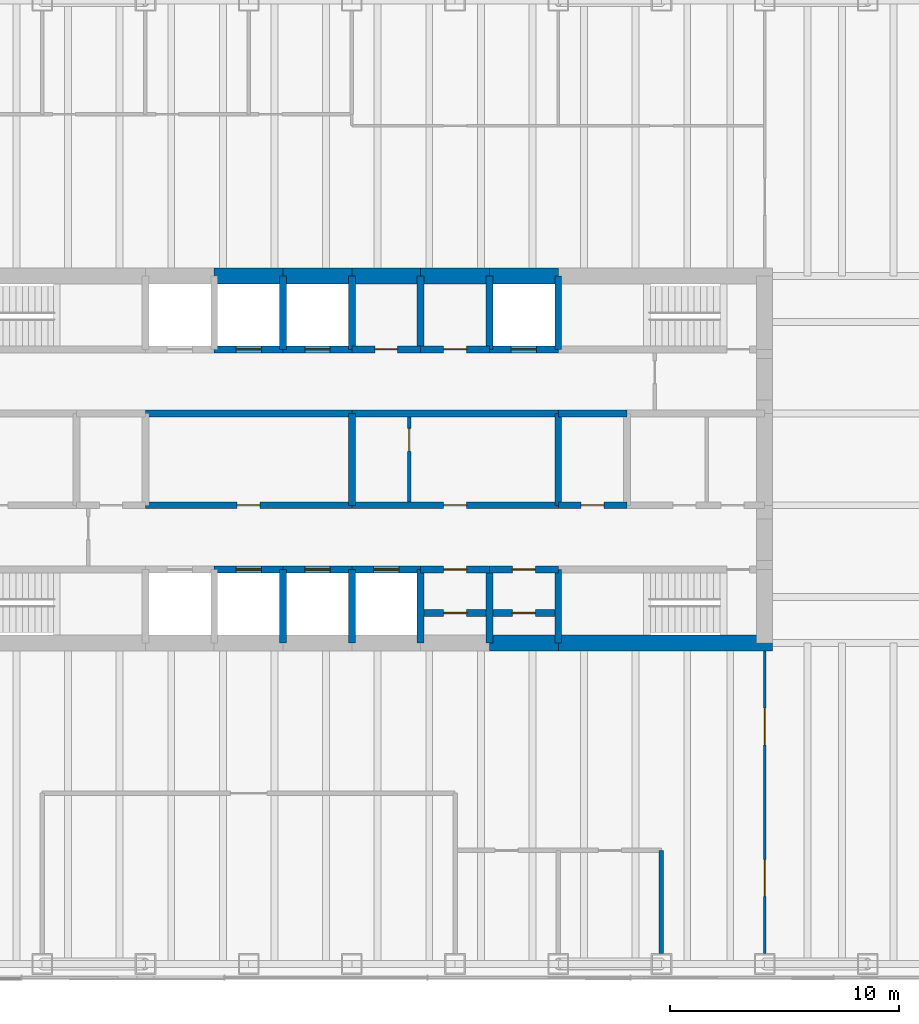
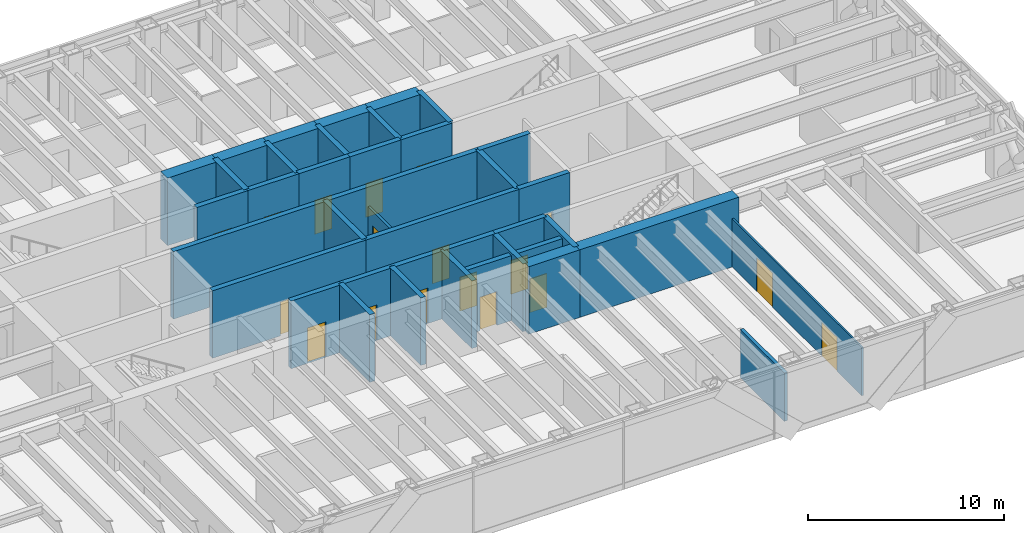
# One storey, part 14 of 17: 40 walls, 18 doors, 18 openings.
"""IFC4 building model written with IfcOpenShell, lengths in metres."""

from ifc_helpers import new_model, si_unit, direction, frame, frame_2d, origin, place, context, subcontext, project, spatial, rectangle, extrude, material, layer, layer_set, type_object, element, fill, save


model = new_model("IFC4")

# Units and contexts
model_context = context("Model", 3, precision=1e-05, world=origin(), true_north=direction((0.0, 1.0)))
body_context = subcontext(model_context, "Body", "Model", "MODEL_VIEW")
ifc_project = project(units=[si_unit("LENGTHUNIT", "METRE"), si_unit("AREAUNIT", "SQUARE_METRE"), si_unit("VOLUMEUNIT", "CUBIC_METRE"), si_unit("PLANEANGLEUNIT", "RADIAN"), si_unit("MASSUNIT", "GRAM", prefix="KILO")], contexts=[model_context])

# Site, building, storey
site_placement = place(None, origin())
site = spatial("IfcSite", under=ifc_project, at=site_placement, CompositionType="ELEMENT")
building_placement = place(site_placement, origin())
building = spatial("IfcBuilding", under=site, at=building_placement, Name="Rheinbord Bourse Tower", CompositionType="ELEMENT")
storey_placement = place(building_placement, frame((0.0, 0.0, 321.5)))
storey = spatial("IfcBuildingStorey", under=building, at=storey_placement, Name="L73", CompositionType="ELEMENT", Elevation=321.5)

# Wall
ifc_material_1 = material(Name="Acoustic gypsum board partition", Category="gypsum board")
ifc_layer_1 = layer(ifc_material_1, 0.199951171875)
ifc_layer_set_1 = layer_set([ifc_layer_1], Name="ACOUSTIC PARTITION 200")
wall_type_1 = type_object("IfcWallType", Name="ACOUSTIC PARTITION 200", PredefinedType="PARTITIONING", material=ifc_layer_set_1)
wall_1_placement = place(storey_placement, frame((49.5, 2.449951171875, 0.0), z_axis=(0.0, 0.0, 1.0), x_axis=(0.0, 1.0, 0.0)))
element("IfcWall", 1, at=wall_1_placement, inside=storey, type_object=wall_type_1, Name="Partition L73-26", PredefinedType="PARTITIONING", context=body_context, shape_type="SweptSolid", body=[
    extrude(rectangle(XDim=4.5, YDim=0.199951171875, at=frame_2d((2.25, 0.0))), origin(), (0.0, 0.0, 1.0), 3.0),
])

# Wall, opening, door
ifc_material_2 = material(Name="Concrete C50/60", Category="concrete")
ifc_layer_2 = layer(ifc_material_2, 0.300048828125)
ifc_layer_set_2 = layer_set([ifc_layer_2], Name="CORE INNER WALL 300")
wall_type_2 = type_object("IfcWallType", Name="CORE INNER WALL 300", PredefinedType="SOLIDWALL", material=ifc_layer_set_2)
wall_2_placement = place(storey_placement, frame((30.0, 19.199951171875, 0.0), z_axis=(0.0, 0.0, 1.0), x_axis=(1.0, 0.0, 0.0)))
wall_2 = element("IfcWall", 2, at=wall_2_placement, inside=storey, type_object=wall_type_2, Name="Core wall A3 L73", PredefinedType="SOLIDWALL", context=body_context, shape_type="SweptSolid", body=[
    extrude(rectangle(XDim=3.0, YDim=0.300048828125, at=frame_2d((1.5, 0.0))), origin(), (0.0, 0.0, 1.0), 4.199951171875),
])
opening_1_placement = place(wall_2_placement, frame((0.949951171875, 0.0, 0.0)))
opening_1 = element("IfcOpeningElement", 3, at=opening_1_placement, cuts=wall_2, Name="Opening PD1", PredefinedType="OPENING", context=body_context, shape_type="SweptSolid", body=[
    extrude(rectangle(XDim=1.10009765625, YDim=2.199951171875, at=frame_2d((0.550048828125, 1.10009765625))), frame((0.0, 0.159912109375, 0.0), z_axis=(0.0, -1.0, 0.0), x_axis=(1.0, 0.0, 0.0)), (0.0, 0.0, 1.0), 0.320068359375),
])
ifc_material_3 = material(Name="Steel landing door", Category="steel")
door_type_1 = type_object("IfcDoorType", Name="LIFT LANDING DOOR 1100", OperationType="DOUBLE_DOOR_SLIDING", PredefinedType="USERDEFINED", material=ifc_material_3)
door_1_placement = place(opening_1_placement, origin())
door_1 = element("IfcDoor", 4, at=door_1_placement, inside=storey, type_object=door_type_1, Name="Lift landing door PD1 L73", ObjectType="LIFT LANDING DOOR", OperationType="DOUBLE_DOOR_SLIDING", OverallHeight=2.199951171875, OverallWidth=1.10009765625, PredefinedType="USERDEFINED", context=body_context, shape_type="SweptSolid", body=[
    extrude(rectangle(XDim=1.10009765625, YDim=2.199951171875, at=frame_2d((0.550048828125, 1.10009765625))), frame((0.0, 0.02490234375, 0.0), z_axis=(0.0, -1.0, 0.0), x_axis=(1.0, 0.0, 0.0)), (0.0, 0.0, 1.0), 0.050048828125),
])
fill(opening_1, door_1)

wall_3_placement = place(storey_placement, frame((33.0, 19.199951171875, 0.0), z_axis=(0.0, 0.0, 1.0), x_axis=(1.0, 0.0, 0.0)))
wall_3 = element("IfcWall", 5, at=wall_3_placement, inside=storey, type_object=wall_type_2, Name="Core wall A4 L73", PredefinedType="SOLIDWALL", context=body_context, shape_type="SweptSolid", body=[
    extrude(rectangle(XDim=3.0, YDim=0.300048828125, at=frame_2d((1.5, 0.0))), origin(), (0.0, 0.0, 1.0), 4.199951171875),
])
opening_2_placement = place(wall_3_placement, frame((0.949951171875, 0.0, 0.0)))
opening_2 = element("IfcOpeningElement", 6, at=opening_2_placement, cuts=wall_3, Name="Opening PD2", PredefinedType="OPENING", context=body_context, shape_type="SweptSolid", body=[
    extrude(rectangle(XDim=1.10009765625, YDim=2.199951171875, at=frame_2d((0.550048828125, 1.10009765625))), frame((0.0, 0.159912109375, 0.0), z_axis=(0.0, -1.0, 0.0), x_axis=(1.0, 0.0, 0.0)), (0.0, 0.0, 1.0), 0.320068359375),
])
door_2_placement = place(opening_2_placement, origin())
door_2 = element("IfcDoor", 7, at=door_2_placement, inside=storey, type_object=door_type_1, Name="Lift landing door PD2 L73", ObjectType="LIFT LANDING DOOR", OperationType="DOUBLE_DOOR_SLIDING", OverallHeight=2.199951171875, OverallWidth=1.10009765625, PredefinedType="USERDEFINED", context=body_context, shape_type="SweptSolid", body=[
    extrude(rectangle(XDim=1.10009765625, YDim=2.199951171875, at=frame_2d((0.550048828125, 1.10009765625))), frame((0.0, 0.02490234375, 0.0), z_axis=(0.0, -1.0, 0.0), x_axis=(1.0, 0.0, 0.0)), (0.0, 0.0, 1.0), 0.050048828125),
])
fill(opening_2, door_2)

wall_4_placement = place(storey_placement, frame((36.0, 19.199951171875, 0.0), z_axis=(0.0, 0.0, 1.0), x_axis=(1.0, 0.0, 0.0)))
wall_4 = element("IfcWall", 8, at=wall_4_placement, inside=storey, type_object=wall_type_2, Name="Core wall A5 L73", PredefinedType="SOLIDWALL", context=body_context, shape_type="SweptSolid", body=[
    extrude(rectangle(XDim=3.0, YDim=0.300048828125, at=frame_2d((1.5, 0.0))), origin(), (0.0, 0.0, 1.0), 4.199951171875),
])
opening_3_placement = place(wall_4_placement, frame((0.949951171875, 0.0, 0.0)))
opening_3 = element("IfcOpeningElement", 9, at=opening_3_placement, cuts=wall_4, Name="Opening PD3", PredefinedType="OPENING", context=body_context, shape_type="SweptSolid", body=[
    extrude(rectangle(XDim=1.10009765625, YDim=2.199951171875, at=frame_2d((0.550048828125, 1.10009765625))), frame((0.0, 0.159912109375, 0.0), z_axis=(0.0, -1.0, 0.0), x_axis=(1.0, 0.0, 0.0)), (0.0, 0.0, 1.0), 0.320068359375),
])
door_3_placement = place(opening_3_placement, origin())
door_3 = element("IfcDoor", 10, at=door_3_placement, inside=storey, type_object=door_type_1, Name="Lift landing door PD3 L73", ObjectType="LIFT LANDING DOOR", OperationType="DOUBLE_DOOR_SLIDING", OverallHeight=2.199951171875, OverallWidth=1.10009765625, PredefinedType="USERDEFINED", context=body_context, shape_type="SweptSolid", body=[
    extrude(rectangle(XDim=1.10009765625, YDim=2.199951171875, at=frame_2d((0.550048828125, 1.10009765625))), frame((0.0, 0.02490234375, 0.0), z_axis=(0.0, -1.0, 0.0), x_axis=(1.0, 0.0, 0.0)), (0.0, 0.0, 1.0), 0.050048828125),
])
fill(opening_3, door_3)

wall_5_placement = place(storey_placement, frame((39.0, 19.199951171875, 0.0), z_axis=(0.0, 0.0, 1.0), x_axis=(1.0, 0.0, 0.0)))
wall_5 = element("IfcWall", 11, at=wall_5_placement, inside=storey, type_object=wall_type_2, Name="Core wall A6 L73", PredefinedType="SOLIDWALL", context=body_context, shape_type="SweptSolid", body=[
    extrude(rectangle(XDim=3.0, YDim=0.300048828125, at=frame_2d((1.5, 0.0))), origin(), (0.0, 0.0, 1.0), 4.199951171875),
])
opening_4_placement = place(wall_5_placement, frame((1.0, 0.0, 0.0)))
opening_4 = element("IfcOpeningElement", 12, at=opening_4_placement, cuts=wall_5, Name="Opening 73R8", PredefinedType="OPENING", context=body_context, shape_type="SweptSolid", body=[
    extrude(rectangle(XDim=1.0, YDim=2.10009765625, at=frame_2d((0.5, 1.050048828125))), frame((0.0, 0.159912109375, 0.0), z_axis=(0.0, -1.0, 0.0), x_axis=(1.0, 0.0, 0.0)), (0.0, 0.0, 1.0), 0.320068359375),
])
ifc_material_4 = material(Name="Steel door", Category="steel")
door_type_2 = type_object("IfcDoorType", Name="DOOR 1000 EI30", OperationType="SINGLE_SWING_LEFT", PredefinedType="DOOR", material=ifc_material_4)
door_4_placement = place(opening_4_placement, origin())
door_4 = element("IfcDoor", 13, at=door_4_placement, inside=storey, type_object=door_type_2, Name="Cleaner's store door L73", OperationType="SINGLE_SWING_LEFT", OverallHeight=2.10009765625, OverallWidth=1.0, PredefinedType="DOOR", context=body_context, shape_type="SweptSolid", body=[
    extrude(rectangle(XDim=1.0, YDim=2.10009765625, at=frame_2d((0.5, 1.050048828125))), frame((0.0, 0.02490234375, 0.0), z_axis=(0.0, -1.0, 0.0), x_axis=(1.0, 0.0, 0.0)), (0.0, 0.0, 1.0), 0.050048828125),
])
fill(opening_4, door_4)

wall_6_placement = place(storey_placement, frame((42.0, 19.199951171875, 0.0), z_axis=(0.0, 0.0, 1.0), x_axis=(1.0, 0.0, 0.0)))
wall_6 = element("IfcWall", 14, at=wall_6_placement, inside=storey, type_object=wall_type_2, Name="Core wall A7 L73", PredefinedType="SOLIDWALL", context=body_context, shape_type="SweptSolid", body=[
    extrude(rectangle(XDim=3.0, YDim=0.300048828125, at=frame_2d((1.5, 0.0))), origin(), (0.0, 0.0, 1.0), 4.199951171875),
])
opening_5_placement = place(wall_6_placement, frame((1.0, 0.0, 0.0)))
opening_5 = element("IfcOpeningElement", 15, at=opening_5_placement, cuts=wall_6, Name="Opening 73R9", PredefinedType="OPENING", context=body_context, shape_type="SweptSolid", body=[
    extrude(rectangle(XDim=1.0, YDim=2.10009765625, at=frame_2d((0.5, 1.050048828125))), frame((0.0, 0.159912109375, 0.0), z_axis=(0.0, -1.0, 0.0), x_axis=(1.0, 0.0, 0.0)), (0.0, 0.0, 1.0), 0.320068359375),
])
door_5_placement = place(opening_5_placement, origin())
door_5 = element("IfcDoor", 16, at=door_5_placement, inside=storey, type_object=door_type_2, Name="Pantry door L73", OperationType="SINGLE_SWING_LEFT", OverallHeight=2.10009765625, OverallWidth=1.0, PredefinedType="DOOR", context=body_context, shape_type="SweptSolid", body=[
    extrude(rectangle(XDim=1.0, YDim=2.10009765625, at=frame_2d((0.5, 1.050048828125))), frame((0.0, 0.02490234375, 0.0), z_axis=(0.0, -1.0, 0.0), x_axis=(1.0, 0.0, 0.0)), (0.0, 0.0, 1.0), 0.050048828125),
])
fill(opening_5, door_5)

wall_7_placement = place(storey_placement, frame((30.0, 28.800048828125, 0.0), z_axis=(0.0, 0.0, 1.0), x_axis=(1.0, 0.0, 0.0)))
wall_7 = element("IfcWall", 17, at=wall_7_placement, inside=storey, type_object=wall_type_2, Name="Core wall B3 L73", PredefinedType="SOLIDWALL", context=body_context, shape_type="SweptSolid", body=[
    extrude(rectangle(XDim=3.0, YDim=0.300048828125, at=frame_2d((1.5, 0.0))), origin(), (0.0, 0.0, 1.0), 4.199951171875),
])
opening_6_placement = place(wall_7_placement, frame((0.949951171875, 0.0, 0.0)))
opening_6 = element("IfcOpeningElement", 18, at=opening_6_placement, cuts=wall_7, Name="Opening PD4", PredefinedType="OPENING", context=body_context, shape_type="SweptSolid", body=[
    extrude(rectangle(XDim=1.10009765625, YDim=2.199951171875, at=frame_2d((0.550048828125, 1.10009765625))), frame((0.0, 0.159912109375, 0.0), z_axis=(0.0, -1.0, 0.0), x_axis=(1.0, 0.0, 0.0)), (0.0, 0.0, 1.0), 0.320068359375),
])
door_6_placement = place(opening_6_placement, origin())
door_6 = element("IfcDoor", 19, at=door_6_placement, inside=storey, type_object=door_type_1, Name="Lift landing door PD4 L73", ObjectType="LIFT LANDING DOOR", OperationType="DOUBLE_DOOR_SLIDING", OverallHeight=2.199951171875, OverallWidth=1.10009765625, PredefinedType="USERDEFINED", context=body_context, shape_type="SweptSolid", body=[
    extrude(rectangle(XDim=1.10009765625, YDim=2.199951171875, at=frame_2d((0.550048828125, 1.10009765625))), frame((0.0, 0.02490234375, 0.0), z_axis=(0.0, -1.0, 0.0), x_axis=(1.0, 0.0, 0.0)), (0.0, 0.0, 1.0), 0.050048828125),
])
fill(opening_6, door_6)

wall_8_placement = place(storey_placement, frame((33.0, 28.800048828125, 0.0), z_axis=(0.0, 0.0, 1.0), x_axis=(1.0, 0.0, 0.0)))
wall_8 = element("IfcWall", 20, at=wall_8_placement, inside=storey, type_object=wall_type_2, Name="Core wall B4 L73", PredefinedType="SOLIDWALL", context=body_context, shape_type="SweptSolid", body=[
    extrude(rectangle(XDim=3.0, YDim=0.300048828125, at=frame_2d((1.5, 0.0))), origin(), (0.0, 0.0, 1.0), 4.199951171875),
])
opening_7_placement = place(wall_8_placement, frame((0.949951171875, 0.0, 0.0)))
opening_7 = element("IfcOpeningElement", 21, at=opening_7_placement, cuts=wall_8, Name="Opening PD5", PredefinedType="OPENING", context=body_context, shape_type="SweptSolid", body=[
    extrude(rectangle(XDim=1.10009765625, YDim=2.199951171875, at=frame_2d((0.550048828125, 1.10009765625))), frame((0.0, 0.159912109375, 0.0), z_axis=(0.0, -1.0, 0.0), x_axis=(1.0, 0.0, 0.0)), (0.0, 0.0, 1.0), 0.320068359375),
])
door_7_placement = place(opening_7_placement, origin())
door_7 = element("IfcDoor", 22, at=door_7_placement, inside=storey, type_object=door_type_1, Name="Lift landing door PD5 L73", ObjectType="LIFT LANDING DOOR", OperationType="DOUBLE_DOOR_SLIDING", OverallHeight=2.199951171875, OverallWidth=1.10009765625, PredefinedType="USERDEFINED", context=body_context, shape_type="SweptSolid", body=[
    extrude(rectangle(XDim=1.10009765625, YDim=2.199951171875, at=frame_2d((0.550048828125, 1.10009765625))), frame((0.0, 0.02490234375, 0.0), z_axis=(0.0, -1.0, 0.0), x_axis=(1.0, 0.0, 0.0)), (0.0, 0.0, 1.0), 0.050048828125),
])
fill(opening_7, door_7)

wall_9_placement = place(storey_placement, frame((36.0, 28.800048828125, 0.0), z_axis=(0.0, 0.0, 1.0), x_axis=(1.0, 0.0, 0.0)))
wall_9 = element("IfcWall", 23, at=wall_9_placement, inside=storey, type_object=wall_type_2, Name="Core wall B5 L73", PredefinedType="SOLIDWALL", context=body_context, shape_type="SweptSolid", body=[
    extrude(rectangle(XDim=3.0, YDim=0.300048828125, at=frame_2d((1.5, 0.0))), origin(), (0.0, 0.0, 1.0), 4.199951171875),
])
opening_8_placement = place(wall_9_placement, frame((1.0, 0.0, 0.0)))
opening_8 = element("IfcOpeningElement", 24, at=opening_8_placement, cuts=wall_9, Name="Opening 73R10", PredefinedType="OPENING", context=body_context, shape_type="SweptSolid", body=[
    extrude(rectangle(XDim=1.0, YDim=2.10009765625, at=frame_2d((0.5, 1.050048828125))), frame((0.0, 0.159912109375, 0.0), z_axis=(0.0, -1.0, 0.0), x_axis=(1.0, 0.0, 0.0)), (0.0, 0.0, 1.0), 0.320068359375),
])
door_8_placement = place(opening_8_placement, origin())
door_8 = element("IfcDoor", 25, at=door_8_placement, inside=storey, type_object=door_type_2, Name="Archive store door L73", OperationType="SINGLE_SWING_LEFT", OverallHeight=2.10009765625, OverallWidth=1.0, PredefinedType="DOOR", context=body_context, shape_type="SweptSolid", body=[
    extrude(rectangle(XDim=1.0, YDim=2.10009765625, at=frame_2d((0.5, 1.050048828125))), frame((0.0, 0.02490234375, 0.0), z_axis=(0.0, -1.0, 0.0), x_axis=(1.0, 0.0, 0.0)), (0.0, 0.0, 1.0), 0.050048828125),
])
fill(opening_8, door_8)

wall_10_placement = place(storey_placement, frame((39.0, 28.800048828125, 0.0), z_axis=(0.0, 0.0, 1.0), x_axis=(1.0, 0.0, 0.0)))
wall_10 = element("IfcWall", 26, at=wall_10_placement, inside=storey, type_object=wall_type_2, Name="Core wall B6 L73", PredefinedType="SOLIDWALL", context=body_context, shape_type="SweptSolid", body=[
    extrude(rectangle(XDim=3.0, YDim=0.300048828125, at=frame_2d((1.5, 0.0))), origin(), (0.0, 0.0, 1.0), 4.199951171875),
])
opening_9_placement = place(wall_10_placement, frame((1.0, 0.0, 0.0)))
opening_9 = element("IfcOpeningElement", 27, at=opening_9_placement, cuts=wall_10, Name="Opening 73R11", PredefinedType="OPENING", context=body_context, shape_type="SweptSolid", body=[
    extrude(rectangle(XDim=1.0, YDim=2.10009765625, at=frame_2d((0.5, 1.050048828125))), frame((0.0, 0.159912109375, 0.0), z_axis=(0.0, -1.0, 0.0), x_axis=(1.0, 0.0, 0.0)), (0.0, 0.0, 1.0), 0.320068359375),
])
door_9_placement = place(opening_9_placement, origin())
door_9 = element("IfcDoor", 28, at=door_9_placement, inside=storey, type_object=door_type_2, Name="Mail room door L73", OperationType="SINGLE_SWING_LEFT", OverallHeight=2.10009765625, OverallWidth=1.0, PredefinedType="DOOR", context=body_context, shape_type="SweptSolid", body=[
    extrude(rectangle(XDim=1.0, YDim=2.10009765625, at=frame_2d((0.5, 1.050048828125))), frame((0.0, 0.02490234375, 0.0), z_axis=(0.0, -1.0, 0.0), x_axis=(1.0, 0.0, 0.0)), (0.0, 0.0, 1.0), 0.050048828125),
])
fill(opening_9, door_9)

wall_11_placement = place(storey_placement, frame((42.0, 28.800048828125, 0.0), z_axis=(0.0, 0.0, 1.0), x_axis=(1.0, 0.0, 0.0)))
wall_11 = element("IfcWall", 29, at=wall_11_placement, inside=storey, type_object=wall_type_2, Name="Core wall B7 L73", PredefinedType="SOLIDWALL", context=body_context, shape_type="SweptSolid", body=[
    extrude(rectangle(XDim=3.0, YDim=0.300048828125, at=frame_2d((1.5, 0.0))), origin(), (0.0, 0.0, 1.0), 4.199951171875),
])
opening_10_placement = place(wall_11_placement, frame((0.949951171875, 0.0, 0.0)))
opening_10 = element("IfcOpeningElement", 30, at=opening_10_placement, cuts=wall_11, Name="Opening FL2", PredefinedType="OPENING", context=body_context, shape_type="SweptSolid", body=[
    extrude(rectangle(XDim=1.10009765625, YDim=2.199951171875, at=frame_2d((0.550048828125, 1.10009765625))), frame((0.0, 0.159912109375, 0.0), z_axis=(0.0, -1.0, 0.0), x_axis=(1.0, 0.0, 0.0)), (0.0, 0.0, 1.0), 0.320068359375),
])
door_10_placement = place(opening_10_placement, origin())
door_10 = element("IfcDoor", 31, at=door_10_placement, inside=storey, type_object=door_type_1, Name="Lift landing door FL2 L73", ObjectType="LIFT LANDING DOOR", OperationType="DOUBLE_DOOR_SLIDING", OverallHeight=2.199951171875, OverallWidth=1.10009765625, PredefinedType="USERDEFINED", context=body_context, shape_type="SweptSolid", body=[
    extrude(rectangle(XDim=1.10009765625, YDim=2.199951171875, at=frame_2d((0.550048828125, 1.10009765625))), frame((0.0, 0.02490234375, 0.0), z_axis=(0.0, -1.0, 0.0), x_axis=(1.0, 0.0, 0.0)), (0.0, 0.0, 1.0), 0.050048828125),
])
fill(opening_10, door_10)

wall_12_placement = place(storey_placement, frame((27.0, 22.0, 0.0), z_axis=(0.0, 0.0, 1.0), x_axis=(1.0, 0.0, 0.0)))
wall_12 = element("IfcWall", 32, at=wall_12_placement, inside=storey, type_object=wall_type_2, Name="Core wall C3 L73", PredefinedType="SOLIDWALL", context=body_context, shape_type="SweptSolid", body=[
    extrude(rectangle(XDim=9.0, YDim=0.300048828125, at=frame_2d((4.5, 0.0))), origin(), (0.0, 0.0, 1.0), 4.199951171875),
])
opening_11_placement = place(wall_12_placement, frame((4.0, 0.0, 0.0)))
opening_11 = element("IfcOpeningElement", 33, at=opening_11_placement, cuts=wall_12, Name="Opening 73R3", PredefinedType="OPENING", context=body_context, shape_type="SweptSolid", body=[
    extrude(rectangle(XDim=1.0, YDim=2.10009765625, at=frame_2d((0.5, 1.050048828125))), frame((0.0, 0.159912109375, 0.0), z_axis=(0.0, -1.0, 0.0), x_axis=(1.0, 0.0, 0.0)), (0.0, 0.0, 1.0), 0.320068359375),
])
door_11_placement = place(opening_11_placement, origin())
door_11 = element("IfcDoor", 34, at=door_11_placement, inside=storey, type_object=door_type_2, Name="Riser door L73", OperationType="SINGLE_SWING_LEFT", OverallHeight=2.10009765625, OverallWidth=1.0, PredefinedType="DOOR", context=body_context, shape_type="SweptSolid", body=[
    extrude(rectangle(XDim=1.0, YDim=2.10009765625, at=frame_2d((0.5, 1.050048828125))), frame((0.0, 0.02490234375, 0.0), z_axis=(0.0, -1.0, 0.0), x_axis=(1.0, 0.0, 0.0)), (0.0, 0.0, 1.0), 0.050048828125),
])
fill(opening_11, door_11)

wall_13_placement = place(storey_placement, frame((36.0, 22.0, 0.0), z_axis=(0.0, 0.0, 1.0), x_axis=(1.0, 0.0, 0.0)))
wall_13 = element("IfcWall", 35, at=wall_13_placement, inside=storey, type_object=wall_type_2, Name="Core wall C4 L73", PredefinedType="SOLIDWALL", context=body_context, shape_type="SweptSolid", body=[
    extrude(rectangle(XDim=9.0, YDim=0.300048828125, at=frame_2d((4.5, 0.0))), origin(), (0.0, 0.0, 1.0), 4.199951171875),
])
opening_12_placement = place(wall_13_placement, frame((4.0, 0.0, 0.0)))
opening_12 = element("IfcOpeningElement", 36, at=opening_12_placement, cuts=wall_13, Name="Opening 73R4", PredefinedType="OPENING", context=body_context, shape_type="SweptSolid", body=[
    extrude(rectangle(XDim=1.0, YDim=2.10009765625, at=frame_2d((0.5, 1.050048828125))), frame((0.0, 0.159912109375, 0.0), z_axis=(0.0, -1.0, 0.0), x_axis=(1.0, 0.0, 0.0)), (0.0, 0.0, 1.0), 0.320068359375),
])
door_12_placement = place(opening_12_placement, origin())
door_12 = element("IfcDoor", 37, at=door_12_placement, inside=storey, type_object=door_type_2, Name="Store door L73", OperationType="SINGLE_SWING_LEFT", OverallHeight=2.10009765625, OverallWidth=1.0, PredefinedType="DOOR", context=body_context, shape_type="SweptSolid", body=[
    extrude(rectangle(XDim=1.0, YDim=2.10009765625, at=frame_2d((0.5, 1.050048828125))), frame((0.0, 0.02490234375, 0.0), z_axis=(0.0, -1.0, 0.0), x_axis=(1.0, 0.0, 0.0)), (0.0, 0.0, 1.0), 0.050048828125),
])
fill(opening_12, door_12)

wall_14_placement = place(storey_placement, frame((45.0, 22.0, 0.0), z_axis=(0.0, 0.0, 1.0), x_axis=(1.0, 0.0, 0.0)))
wall_14 = element("IfcWall", 38, at=wall_14_placement, inside=storey, type_object=wall_type_2, Name="Core wall C5 L73", PredefinedType="SOLIDWALL", context=body_context, shape_type="SweptSolid", body=[
    extrude(rectangle(XDim=3.0, YDim=0.300048828125, at=frame_2d((1.5, 0.0))), origin(), (0.0, 0.0, 1.0), 4.199951171875),
])
opening_13_placement = place(wall_14_placement, frame((1.0, 0.0, 0.0)))
opening_13 = element("IfcOpeningElement", 39, at=opening_13_placement, cuts=wall_14, Name="Opening 73R5", PredefinedType="OPENING", context=body_context, shape_type="SweptSolid", body=[
    extrude(rectangle(XDim=1.0, YDim=2.10009765625, at=frame_2d((0.5, 1.050048828125))), frame((0.0, 0.159912109375, 0.0), z_axis=(0.0, -1.0, 0.0), x_axis=(1.0, 0.0, 0.0)), (0.0, 0.0, 1.0), 0.320068359375),
])
ifc_material_5 = material(Name="Timber door", Category="wood")
door_type_3 = type_object("IfcDoorType", Name="DOOR 1000 WC", OperationType="SINGLE_SWING_LEFT", PredefinedType="DOOR", material=ifc_material_5)
door_13_placement = place(opening_13_placement, origin())
door_13 = element("IfcDoor", 40, at=door_13_placement, inside=storey, type_object=door_type_3, Name="Accessible WC door L73", OperationType="SINGLE_SWING_LEFT", OverallHeight=2.10009765625, OverallWidth=1.0, PredefinedType="DOOR", context=body_context, shape_type="SweptSolid", body=[
    extrude(rectangle(XDim=1.0, YDim=2.10009765625, at=frame_2d((0.5, 1.050048828125))), frame((0.0, 0.02490234375, 0.0), z_axis=(0.0, -1.0, 0.0), x_axis=(1.0, 0.0, 0.0)), (0.0, 0.0, 1.0), 0.050048828125),
])
fill(opening_13, door_13)

# Walls
for number, where, z_axis, x_axis, name in (
    (41, (27.0, 26.0, 0.0), (0.0, 0.0, 1.0), (1.0, 0.0, 0.0), "Core wall D3 L73"),
    (42, (36.0, 26.0, 0.0), (0.0, 0.0, 1.0), (1.0, 0.0, 0.0), "Core wall D4 L73"),
):
    element("IfcWall", number, at=place(storey_placement, frame(where, z_axis=z_axis, x_axis=x_axis)), inside=storey, type_object=wall_type_2, Name=name, PredefinedType="SOLIDWALL", context=body_context, shape_type="SweptSolid", body=[
        extrude(rectangle(XDim=9.0, YDim=0.300048828125, at=frame_2d((4.5, 0.0))), origin(), (0.0, 0.0, 1.0), 4.199951171875),
    ])
wall_15_placement = place(storey_placement, frame((45.0, 26.0, 0.0), z_axis=(0.0, 0.0, 1.0), x_axis=(1.0, 0.0, 0.0)))
element("IfcWall", 43, at=wall_15_placement, inside=storey, type_object=wall_type_2, Name="Core wall D5 L73", PredefinedType="SOLIDWALL", context=body_context, shape_type="SweptSolid", body=[
    extrude(rectangle(XDim=3.0, YDim=0.300048828125, at=frame_2d((1.5, 0.0))), origin(), (0.0, 0.0, 1.0), 4.199951171875),
])
for number, where, z_axis, x_axis, name in (
    (44, (33.0, 16.0, 0.0), (0.0, 0.0, 1.0), (0.0, 1.0, 0.0), "Core wall SX33 L73"),
    (45, (33.0, 28.800048828125, 0.0), (0.0, 0.0, 1.0), (0.0, 1.0, 0.0), "Core wall NX33 L73"),
    (46, (36.0, 16.0, 0.0), (0.0, 0.0, 1.0), (0.0, 1.0, 0.0), "Core wall SX36 L73"),
    (47, (36.0, 28.800048828125, 0.0), (0.0, 0.0, 1.0), (0.0, 1.0, 0.0), "Core wall NX36 L73"),
    (48, (39.0, 16.0, 0.0), (0.0, 0.0, 1.0), (0.0, 1.0, 0.0), "Core wall SX39 L73"),
    (49, (39.0, 28.800048828125, 0.0), (0.0, 0.0, 1.0), (0.0, 1.0, 0.0), "Core wall NX39 L73"),
    (50, (42.0, 16.0, 0.0), (0.0, 0.0, 1.0), (0.0, 1.0, 0.0), "Core wall SX42 L73"),
    (51, (42.0, 28.800048828125, 0.0), (0.0, 0.0, 1.0), (0.0, 1.0, 0.0), "Core wall NX42 L73"),
    (52, (45.0, 16.0, 0.0), (0.0, 0.0, 1.0), (0.0, 1.0, 0.0), "Core wall SX45 L73"),
    (53, (45.0, 28.800048828125, 0.0), (0.0, 0.0, 1.0), (0.0, 1.0, 0.0), "Core wall NX45 L73"),
):
    element("IfcWall", number, at=place(storey_placement, frame(where, z_axis=z_axis, x_axis=x_axis)), inside=storey, type_object=wall_type_2, Name=name, PredefinedType="SOLIDWALL", context=body_context, shape_type="SweptSolid", body=[
        extrude(rectangle(XDim=3.199951171875, YDim=0.300048828125, at=frame_2d((1.60009765625, 0.0))), origin(), (0.0, 0.0, 1.0), 4.199951171875),
    ])
for number, where, z_axis, x_axis, name in (
    (54, (36.0, 22.0, 0.0), (0.0, 0.0, 1.0), (0.0, 1.0, 0.0), "Core wall MX36 L73"),
    (55, (45.0, 22.0, 0.0), (0.0, 0.0, 1.0), (0.0, 1.0, 0.0), "Core wall MX45 L73"),
):
    element("IfcWall", number, at=place(storey_placement, frame(where, z_axis=z_axis, x_axis=x_axis)), inside=storey, type_object=wall_type_2, Name=name, PredefinedType="SOLIDWALL", context=body_context, shape_type="SweptSolid", body=[
        extrude(rectangle(XDim=4.0, YDim=0.300048828125, at=frame_2d((2.0, 0.0))), origin(), (0.0, 0.0, 1.0), 4.199951171875),
    ])

# Wall, opening, door
wall_16_placement = place(storey_placement, frame((39.14990234375, 17.300048828125, 0.0), z_axis=(0.0, 0.0, 1.0), x_axis=(1.0, 0.0, 0.0)))
wall_16 = element("IfcWall", 56, at=wall_16_placement, inside=storey, type_object=wall_type_2, Name="Core riser wall L73-6", PredefinedType="SOLIDWALL", context=body_context, shape_type="SweptSolid", body=[
    extrude(rectangle(XDim=2.7001953125, YDim=0.300048828125, at=frame_2d((1.35009765625, 0.0))), origin(), (0.0, 0.0, 1.0), 4.0400390625),
])
opening_14_placement = place(wall_16_placement, frame((0.85009765625, 0.0, 0.0)))
opening_14 = element("IfcOpeningElement", 57, at=opening_14_placement, cuts=wall_16, Name="Opening 73R12", PredefinedType="OPENING", context=body_context, shape_type="SweptSolid", body=[
    extrude(rectangle(XDim=1.0, YDim=2.10009765625, at=frame_2d((0.5, 1.050048828125))), frame((0.0, 0.159912109375, 0.0), z_axis=(0.0, -1.0, 0.0), x_axis=(1.0, 0.0, 0.0)), (0.0, 0.0, 1.0), 0.320068359375),
])
door_14_placement = place(opening_14_placement, origin())
door_14 = element("IfcDoor", 58, at=door_14_placement, inside=storey, type_object=door_type_2, Name="Comms riser door L73", OperationType="SINGLE_SWING_LEFT", OverallHeight=2.10009765625, OverallWidth=1.0, PredefinedType="DOOR", context=body_context, shape_type="SweptSolid", body=[
    extrude(rectangle(XDim=1.0, YDim=2.10009765625, at=frame_2d((0.5, 1.050048828125))), frame((0.0, 0.02490234375, 0.0), z_axis=(0.0, -1.0, 0.0), x_axis=(1.0, 0.0, 0.0)), (0.0, 0.0, 1.0), 0.050048828125),
])
fill(opening_14, door_14)

wall_17_placement = place(storey_placement, frame((42.14990234375, 17.300048828125, 0.0), z_axis=(0.0, 0.0, 1.0), x_axis=(1.0, 0.0, 0.0)))
wall_17 = element("IfcWall", 59, at=wall_17_placement, inside=storey, type_object=wall_type_2, Name="Core riser wall L73-7", PredefinedType="SOLIDWALL", context=body_context, shape_type="SweptSolid", body=[
    extrude(rectangle(XDim=2.7001953125, YDim=0.300048828125, at=frame_2d((1.35009765625, 0.0))), origin(), (0.0, 0.0, 1.0), 4.0400390625),
])
opening_15_placement = place(wall_17_placement, frame((0.85009765625, 0.0, 0.0)))
opening_15 = element("IfcOpeningElement", 60, at=opening_15_placement, cuts=wall_17, Name="Opening 73R13", PredefinedType="OPENING", context=body_context, shape_type="SweptSolid", body=[
    extrude(rectangle(XDim=1.0, YDim=2.10009765625, at=frame_2d((0.5, 1.050048828125))), frame((0.0, 0.159912109375, 0.0), z_axis=(0.0, -1.0, 0.0), x_axis=(1.0, 0.0, 0.0)), (0.0, 0.0, 1.0), 0.320068359375),
])
door_15_placement = place(opening_15_placement, origin())
door_15 = element("IfcDoor", 61, at=door_15_placement, inside=storey, type_object=door_type_2, Name="Electrical riser door L73", OperationType="SINGLE_SWING_LEFT", OverallHeight=2.10009765625, OverallWidth=1.0, PredefinedType="DOOR", context=body_context, shape_type="SweptSolid", body=[
    extrude(rectangle(XDim=1.0, YDim=2.10009765625, at=frame_2d((0.5, 1.050048828125))), frame((0.0, 0.02490234375, 0.0), z_axis=(0.0, -1.0, 0.0), x_axis=(1.0, 0.0, 0.0)), (0.0, 0.0, 1.0), 0.050048828125),
])
fill(opening_15, door_15)

ifc_material_6 = material(Name="Gypsum board fire partition", Category="gypsum board")
ifc_layer_3 = layer(ifc_material_6, 0.14990234375)
ifc_layer_set_3 = layer_set([ifc_layer_3], Name="CORE PARTITION 150 EI30")
wall_type_3 = type_object("IfcWallType", Name="CORE PARTITION 150 EI30", PredefinedType="PARTITIONING", material=ifc_layer_set_3)
wall_18_placement = place(storey_placement, frame((38.5, 22.14990234375, 0.0), z_axis=(0.0, 0.0, 1.0), x_axis=(0.0, 1.0, 0.0)))
wall_18 = element("IfcWall", 62, at=wall_18_placement, inside=storey, type_object=wall_type_3, Name="Core partition L73-1", PredefinedType="PARTITIONING", context=body_context, shape_type="SweptSolid", body=[
    extrude(rectangle(XDim=3.7001953125, YDim=0.14990234375, at=frame_2d((1.85009765625, 0.0))), origin(), (0.0, 0.0, 1.0), 3.0),
])
opening_16_placement = place(wall_18_placement, frame((2.199951171875, 0.0, 0.0)))
opening_16 = element("IfcOpeningElement", 63, at=opening_16_placement, cuts=wall_18, Name="Opening 73R7", PredefinedType="OPENING", context=body_context, shape_type="SweptSolid", body=[
    extrude(rectangle(XDim=1.0, YDim=2.10009765625, at=frame_2d((0.5, 1.050048828125))), frame((0.0, 0.0849609375, 0.0), z_axis=(0.0, -1.0, 0.0), x_axis=(1.0, 0.0, 0.0)), (0.0, 0.0, 1.0), 0.169921875),
])
door_16_placement = place(opening_16_placement, origin())
door_16 = element("IfcDoor", 64, at=door_16_placement, inside=storey, type_object=door_type_2, Name="Furniture store door L73", OperationType="SINGLE_SWING_RIGHT", OverallHeight=2.10009765625, OverallWidth=1.0, PredefinedType="DOOR", context=body_context, shape_type="SweptSolid", body=[
    extrude(rectangle(XDim=1.0, YDim=2.10009765625, at=frame_2d((0.5, 1.050048828125))), frame((0.0, 0.02490234375, 0.0), z_axis=(0.0, -1.0, 0.0), x_axis=(1.0, 0.0, 0.0)), (0.0, 0.0, 1.0), 0.050048828125),
])
fill(opening_16, door_16)

# Walls
ifc_material_7 = material(Name="Concrete C50/60", Category="concrete")
ifc_layer_4 = layer(ifc_material_7, 0.699951171875)
ifc_layer_set_4 = layer_set([ifc_layer_4], Name="CORE WALL 700")
wall_type_4 = type_object("IfcWallType", Name="CORE WALL 700", PredefinedType="SHEAR", material=ifc_layer_set_4)
wall_19_placement = place(storey_placement, frame((42.0, 16.0, 0.0), z_axis=(0.0, 0.0, 1.0), x_axis=(1.0, 0.0, 0.0)))
element("IfcWall", 65, at=wall_19_placement, inside=storey, type_object=wall_type_4, Name="Core wall S7 L73", PredefinedType="SHEAR", context=body_context, shape_type="SweptSolid", body=[
    extrude(rectangle(XDim=3.0, YDim=0.699951171875, at=frame_2d((1.5, 0.0))), origin(), (0.0, 0.0, 1.0), 4.199951171875),
])
wall_20_placement = place(storey_placement, frame((45.0, 16.0, 0.0), z_axis=(0.0, 0.0, 1.0), x_axis=(1.0, 0.0, 0.0)))
element("IfcWall", 66, at=wall_20_placement, inside=storey, type_object=wall_type_4, Name="Core wall S8 L73", PredefinedType="SHEAR", context=body_context, shape_type="SweptSolid", body=[
    extrude(rectangle(XDim=9.35009765625, YDim=0.699951171875, at=frame_2d((4.675048828125, 0.0))), origin(), (0.0, 0.0, 1.0), 4.199951171875),
])
for number, where, z_axis, x_axis, name in (
    (67, (45.0, 32.0, 0.0), (0.0, 0.0, 1.0), (-1.0, 0.0, 0.0), "Core wall N2 L73"),
    (68, (42.0, 32.0, 0.0), (0.0, 0.0, 1.0), (-1.0, 0.0, 0.0), "Core wall N3 L73"),
    (69, (39.0, 32.0, 0.0), (0.0, 0.0, 1.0), (-1.0, 0.0, 0.0), "Core wall N4 L73"),
    (70, (36.0, 32.0, 0.0), (0.0, 0.0, 1.0), (-1.0, 0.0, 0.0), "Core wall N5 L73"),
    (71, (33.0, 32.0, 0.0), (0.0, 0.0, 1.0), (-1.0, 0.0, 0.0), "Core wall N6 L73"),
):
    element("IfcWall", number, at=place(storey_placement, frame(where, z_axis=z_axis, x_axis=x_axis)), inside=storey, type_object=wall_type_4, Name=name, PredefinedType="SHEAR", context=body_context, shape_type="SweptSolid", body=[
        extrude(rectangle(XDim=3.0, YDim=0.699951171875, at=frame_2d((1.5, 0.0))), origin(), (0.0, 0.0, 1.0), 4.199951171875),
    ])

# Wall, openings, doors
ifc_material_8 = material(Name="Toughened laminated glass partition", Category="glass")
ifc_layer_5 = layer(ifc_material_8, 0.10009765625)
ifc_layer_set_5 = layer_set([ifc_layer_5], Name="GLAZED PARTITION 100")
wall_type_5 = type_object("IfcWallType", Name="GLAZED PARTITION 100", PredefinedType="PARTITIONING", material=ifc_layer_set_5)
wall_21_placement = place(storey_placement, frame((54.0, 2.449951171875, 0.0), z_axis=(0.0, 0.0, 1.0), x_axis=(0.0, 1.0, 0.0)))
wall_21 = element("IfcWall", 72, at=wall_21_placement, inside=storey, type_object=wall_type_5, Name="Partition L73-27", PredefinedType="PARTITIONING", context=body_context, shape_type="SweptSolid", body=[
    extrude(rectangle(XDim=13.199951171875, YDim=0.10009765625, at=frame_2d((6.60009765625, 0.0))), origin(), (0.0, 0.0, 1.0), 3.0),
])
opening_17_placement = place(wall_21_placement, frame((2.5, 0.0, 0.0)))
opening_17 = element("IfcOpeningElement", 73, at=opening_17_placement, cuts=wall_21, Name="Opening 73D18", PredefinedType="OPENING", context=body_context, shape_type="SweptSolid", body=[
    extrude(rectangle(XDim=1.60009765625, YDim=2.10009765625, at=frame_2d((0.800048828125, 1.050048828125))), frame((0.0, 0.06005859375, 0.0), z_axis=(0.0, -1.0, 0.0), x_axis=(1.0, 0.0, 0.0)), (0.0, 0.0, 1.0), 0.1201171875),
])
opening_18_placement = place(wall_21_placement, frame((9.10009765625, 0.0, 0.0)))
opening_18 = element("IfcOpeningElement", 74, at=opening_18_placement, cuts=wall_21, Name="Opening 73D19", PredefinedType="OPENING", context=body_context, shape_type="SweptSolid", body=[
    extrude(rectangle(XDim=1.60009765625, YDim=2.10009765625, at=frame_2d((0.800048828125, 1.050048828125))), frame((0.0, 0.06005859375, 0.0), z_axis=(0.0, -1.0, 0.0), x_axis=(1.0, 0.0, 0.0)), (0.0, 0.0, 1.0), 0.1201171875),
])
ifc_material_9 = material(Name="Timber door", Category="wood")
door_type_4 = type_object("IfcDoorType", Name="DOUBLE ROOM DOOR 1600", OperationType="DOUBLE_DOOR_DOUBLE_SWING", PredefinedType="DOOR", material=ifc_material_9)
door_17_placement = place(opening_17_placement, origin())
door_17 = element("IfcDoor", 75, at=door_17_placement, inside=storey, type_object=door_type_4, Name="Open area door L73", OperationType="SINGLE_SWING_LEFT", OverallHeight=2.10009765625, OverallWidth=1.60009765625, PredefinedType="DOOR", context=body_context, shape_type="SweptSolid", body=[
    extrude(rectangle(XDim=1.60009765625, YDim=2.10009765625, at=frame_2d((0.800048828125, 1.050048828125))), frame((0.0, 0.02490234375, 0.0), z_axis=(0.0, -1.0, 0.0), x_axis=(1.0, 0.0, 0.0)), (0.0, 0.0, 1.0), 0.050048828125),
])
fill(opening_17, door_17)
door_18_placement = place(opening_18_placement, origin())
door_18 = element("IfcDoor", 76, at=door_18_placement, inside=storey, type_object=door_type_4, Name="Open area door L73", OperationType="SINGLE_SWING_LEFT", OverallHeight=2.10009765625, OverallWidth=1.60009765625, PredefinedType="DOOR", context=body_context, shape_type="SweptSolid", body=[
    extrude(rectangle(XDim=1.60009765625, YDim=2.10009765625, at=frame_2d((0.800048828125, 1.050048828125))), frame((0.0, 0.02490234375, 0.0), z_axis=(0.0, -1.0, 0.0), x_axis=(1.0, 0.0, 0.0)), (0.0, 0.0, 1.0), 0.050048828125),
])
fill(opening_18, door_18)

save(model, "model.ifc")
